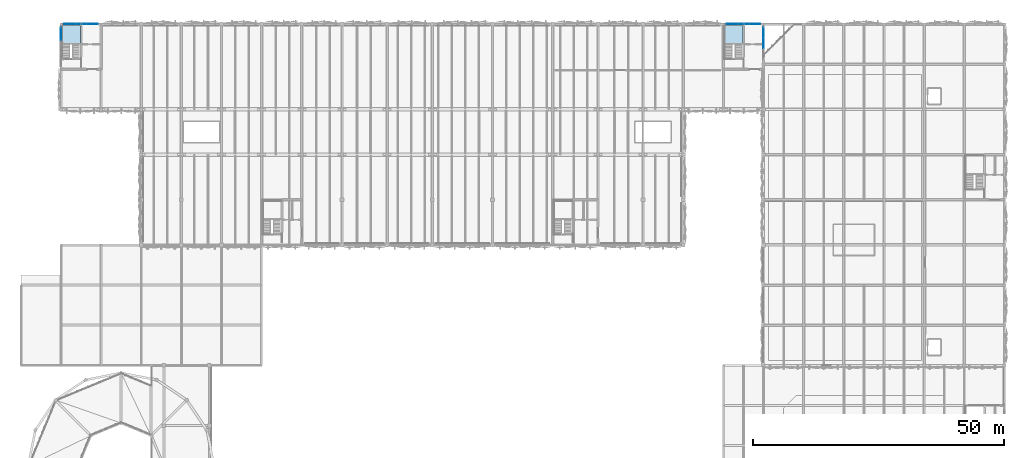
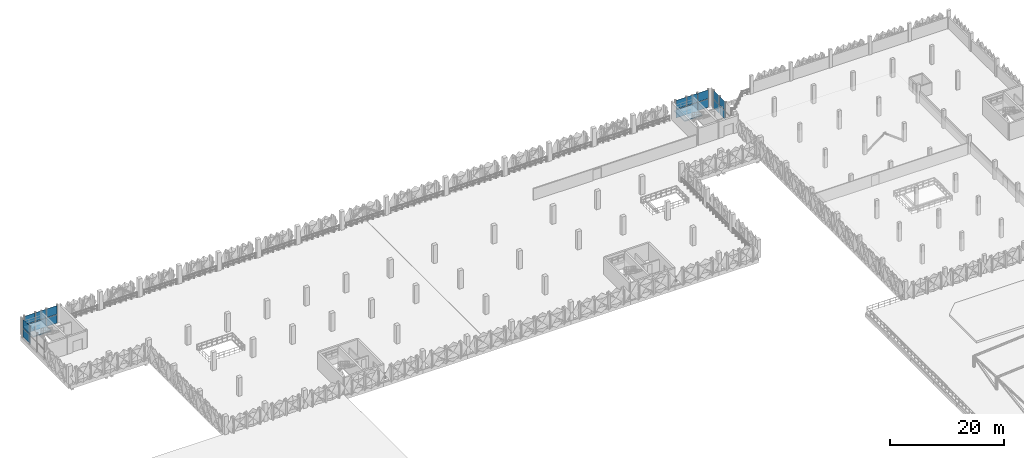
# One storey, part 33 of 76: 18 plates, 2 slabs, 6 elements without a shape of their own.
"""IFC4 building model written with IfcOpenShell, lengths in metres."""

from ifc_helpers import new_model, si_unit, derived_unit, direction, frame, origin, origin_2d, place, context, subcontext, project, spatial, polyline, rectangle, outline, extrude, material, layer, layer_set, type_object, element, aggregate, save


model = new_model("IFC4")

# Units and contexts
model_context = context("Model", 3, precision=1e-05, world=origin(), true_north=direction((0.0, 1.0)))
body_context = subcontext(model_context, "Body", "Model", "MODEL_VIEW")
ifc_project = project(units=[si_unit("LENGTHUNIT", "METRE"), si_unit("AREAUNIT", "SQUARE_METRE"), si_unit("VOLUMEUNIT", "CUBIC_METRE"), si_unit("PLANEANGLEUNIT", "RADIAN"), si_unit("MASSUNIT", "GRAM", prefix="KILO"), si_unit("THERMODYNAMICTEMPERATUREUNIT", "KELVIN"), derived_unit("THERMALTRANSMITTANCEUNIT", [(si_unit("POWERUNIT", "WATT"), 1), (si_unit("AREAUNIT", "SQUARE_METRE"), -1), (si_unit("THERMODYNAMICTEMPERATUREUNIT", "KELVIN"), -1)])], contexts=[model_context])

# Site, building, storey
site_placement = place(None, origin())
site = spatial("IfcSite", under=ifc_project, at=site_placement, CompositionType="ELEMENT")
building_placement = place(site_placement, origin())
building = spatial("IfcBuilding", under=site, at=building_placement, Name="Haiyu Intermodal Mobility Hub", CompositionType="ELEMENT")
storey_placement = place(building_placement, frame((0.0, 0.0, 17.300048828125)))
storey = spatial("IfcBuildingStorey", under=building, at=storey_placement, Name="L04", CompositionType="ELEMENT", Elevation=17.300048828125)

# Curtain wall, plates
ifc_material_1 = material(Name="Low-e laminated insulating glass", Category="glass")
ifc_layer_1 = layer(ifc_material_1, 0.199951171875)
ifc_layer_set_1 = layer_set([ifc_layer_1], Name="Low-e laminated insulating glass")
curtain_wall_type = type_object("IfcCurtainWallType", Name="CW-CW03", PredefinedType="NOTDEFINED", material=ifc_layer_set_1)
curtain_wall_1_placement = place(storey_placement, origin())
curtain_wall_1 = element("IfcCurtainWall", 1, at=curtain_wall_1_placement, inside=storey, type_object=curtain_wall_type, Name="Curtain Wall CW-C3N-L04-057", PredefinedType="NOTDEFINED")
ifc_layer_2 = layer(ifc_material_1, 0.0400390625)
ifc_layer_set_2 = layer_set([ifc_layer_2], Name="Low-e laminated insulating glass")
plate_type_1 = type_object("IfcPlateType", Name="PLT-CP03", PredefinedType="CURTAIN_PANEL", material=ifc_layer_set_2)
plate_1_placement = place(storey_placement, frame((28.22705078125, 148.0, 0.03466796875), z_axis=(0.0, 0.0, 1.0), x_axis=(-1.0, 0.0, 0.0)))
plate_1 = element("IfcPlate", 2, at=plate_1_placement, type_object=plate_type_1, Name="CW-C3N-L04-057-PN01", PredefinedType="CURTAIN_PANEL", context=body_context, shape_type="SweptSolid", body=[
    extrude(rectangle(XDim=2.136962890625, YDim=0.0400390625, at=origin_2d()), origin(), (0.0, 0.0, 1.0), 1.840087890625),
])
plate_2_placement = place(storey_placement, frame((26.0, 148.0, 0.03466796875), z_axis=(0.0, 0.0, 1.0), x_axis=(-1.0, 0.0, 0.0)))
plate_2 = element("IfcPlate", 3, at=plate_2_placement, type_object=plate_type_1, Name="CW-C3N-L04-057-PN03", PredefinedType="CURTAIN_PANEL", context=body_context, shape_type="SweptSolid", body=[
    extrude(rectangle(XDim=2.136962890625, YDim=0.0400390625, at=origin_2d()), origin(), (0.0, 0.0, 1.0), 1.840087890625),
])
plate_3_placement = place(storey_placement, frame((23.77294921875, 148.0, 0.03466796875), z_axis=(0.0, 0.0, 1.0), x_axis=(-1.0, 0.0, 0.0)))
plate_3 = element("IfcPlate", 4, at=plate_3_placement, type_object=plate_type_1, Name="CW-C3N-L04-057-PN05", PredefinedType="CURTAIN_PANEL", context=body_context, shape_type="SweptSolid", body=[
    extrude(rectangle(XDim=2.136962890625, YDim=0.0400390625, at=origin_2d()), origin(), (0.0, 0.0, 1.0), 1.840087890625),
])

# Curtain wall, plate
curtain_wall_2_placement = place(storey_placement, origin())
curtain_wall_2 = element("IfcCurtainWall", 5, at=curtain_wall_2_placement, inside=storey, type_object=curtain_wall_type, Name="Curtain Wall CW-C3S-L04-058", PredefinedType="NOTDEFINED")
plate_4_placement = place(storey_placement, frame((22.0, 146.06005859375, 0.03466796875), z_axis=(0.0, 0.0, 1.0), x_axis=(0.0, -1.0, 0.0)))
plate_4 = element("IfcPlate", 6, at=plate_4_placement, type_object=plate_type_1, Name="CW-C3S-L04-058-PN01", PredefinedType="CURTAIN_PANEL", context=body_context, shape_type="SweptSolid", body=[
    extrude(rectangle(XDim=2.469970703125, YDim=0.0400390625, at=origin_2d()), origin(), (0.0, 0.0, 1.0), 1.840087890625),
])

# Curtain wall, plates
curtain_wall_3_placement = place(storey_placement, origin())
curtain_wall_3 = element("IfcCurtainWall", 7, at=curtain_wall_3_placement, inside=storey, type_object=curtain_wall_type, Name="Curtain Wall CW-C4N-L04-071", PredefinedType="NOTDEFINED")
plate_5_placement = place(storey_placement, frame((160.22705078125, 148.0, 0.03466796875), z_axis=(0.0, 0.0, 1.0), x_axis=(-1.0, 0.0, 0.0)))
plate_5 = element("IfcPlate", 8, at=plate_5_placement, type_object=plate_type_1, Name="CW-C4N-L04-071-PN01", PredefinedType="CURTAIN_PANEL", context=body_context, shape_type="SweptSolid", body=[
    extrude(rectangle(XDim=2.136962890625, YDim=0.0400390625, at=origin_2d()), origin(), (0.0, 0.0, 1.0), 1.840087890625),
])
plate_6_placement = place(storey_placement, frame((158.0, 148.0, 0.03466796875), z_axis=(0.0, 0.0, 1.0), x_axis=(-1.0, 0.0, 0.0)))
plate_6 = element("IfcPlate", 9, at=plate_6_placement, type_object=plate_type_1, Name="CW-C4N-L04-071-PN03", PredefinedType="CURTAIN_PANEL", context=body_context, shape_type="SweptSolid", body=[
    extrude(rectangle(XDim=2.136962890625, YDim=0.0400390625, at=origin_2d()), origin(), (0.0, 0.0, 1.0), 1.840087890625),
])
plate_7_placement = place(storey_placement, frame((155.77294921875, 148.0, 0.03466796875), z_axis=(0.0, 0.0, 1.0), x_axis=(-1.0, 0.0, 0.0)))
plate_7 = element("IfcPlate", 10, at=plate_7_placement, type_object=plate_type_1, Name="CW-C4N-L04-071-PN05", PredefinedType="CURTAIN_PANEL", context=body_context, shape_type="SweptSolid", body=[
    extrude(rectangle(XDim=2.136962890625, YDim=0.0400390625, at=origin_2d()), origin(), (0.0, 0.0, 1.0), 1.840087890625),
])

curtain_wall_4_placement = place(storey_placement, origin())
curtain_wall_4 = element("IfcCurtainWall", 11, at=curtain_wall_4_placement, inside=storey, type_object=curtain_wall_type, Name="Curtain Wall CW-C4S-L04-072", PredefinedType="NOTDEFINED")
plate_8_placement = place(storey_placement, frame((162.0, 144.1650390625, 0.03466796875), z_axis=(0.0, 0.0, 1.0), x_axis=(0.0, 1.0, 0.0)))
plate_8 = element("IfcPlate", 12, at=plate_8_placement, type_object=plate_type_1, Name="CW-C4S-L04-072-PN03", PredefinedType="CURTAIN_PANEL", context=body_context, shape_type="SweptSolid", body=[
    extrude(rectangle(XDim=2.027099609375, YDim=0.0400390625, at=origin_2d()), origin(), (0.0, 0.0, 1.0), 1.840087890625),
])
plate_9_placement = place(storey_placement, frame((162.0, 146.281982421875, 0.03466796875), z_axis=(0.0, 0.0, 1.0), x_axis=(0.0, 1.0, 0.0)))
plate_9 = element("IfcPlate", 13, at=plate_9_placement, type_object=plate_type_1, Name="CW-C4S-L04-072-PN05", PredefinedType="CURTAIN_PANEL", context=body_context, shape_type="SweptSolid", body=[
    extrude(rectangle(XDim=2.027099609375, YDim=0.0400390625, at=origin_2d()), origin(), (0.0, 0.0, 1.0), 1.840087890625),
])

# Plate
ifc_layer_3 = layer(ifc_material_1, 0.0439453125)
ifc_layer_set_3 = layer_set([ifc_layer_3], Name="Low-e laminated insulating glass")
plate_type_2 = type_object("IfcPlateType", Name="PLT-CP04", PredefinedType="CURTAIN_PANEL", material=ifc_layer_set_3)
plate_10_placement = place(storey_placement, frame((28.22705078125, 148.0, 1.94482421875), z_axis=(0.0, 0.0, 1.0), x_axis=(-1.0, 0.0, 0.0)))
plate_10 = element("IfcPlate", 14, at=plate_10_placement, type_object=plate_type_2, Name="CW-C3N-L04-057-PN02", PredefinedType="CURTAIN_PANEL", context=body_context, shape_type="SweptSolid", body=[
    extrude(rectangle(XDim=2.136962890625, YDim=0.0439453125, at=origin_2d()), origin(), (0.0, 0.0, 1.0), 1.840087890625),
])

plate_11_placement = place(storey_placement, frame((26.0, 148.0, 1.94482421875), z_axis=(0.0, 0.0, 1.0), x_axis=(-1.0, 0.0, 0.0)))
plate_11 = element("IfcPlate", 15, at=plate_11_placement, type_object=plate_type_2, Name="CW-C3N-L04-057-PN04", PredefinedType="CURTAIN_PANEL", context=body_context, shape_type="SweptSolid", body=[
    extrude(rectangle(XDim=2.136962890625, YDim=0.0439453125, at=origin_2d()), origin(), (0.0, 0.0, 1.0), 1.840087890625),
])

plate_12_placement = place(storey_placement, frame((23.77294921875, 148.0, 1.94482421875), z_axis=(0.0, 0.0, 1.0), x_axis=(-1.0, 0.0, 0.0)))
plate_12 = element("IfcPlate", 16, at=plate_12_placement, type_object=plate_type_2, Name="CW-C3N-L04-057-PN06", PredefinedType="CURTAIN_PANEL", context=body_context, shape_type="SweptSolid", body=[
    extrude(rectangle(XDim=2.136962890625, YDim=0.0439453125, at=origin_2d()), origin(), (0.0, 0.0, 1.0), 1.840087890625),
])

aggregate(curtain_wall_1, [plate_1, plate_10, plate_2, plate_11, plate_3, plate_12])

plate_13_placement = place(storey_placement, frame((22.0, 146.06005859375, 1.94482421875), z_axis=(0.0, 0.0, 1.0), x_axis=(0.0, -1.0, 0.0)))
plate_13 = element("IfcPlate", 17, at=plate_13_placement, type_object=plate_type_2, Name="CW-C3S-L04-058-PN02", PredefinedType="CURTAIN_PANEL", context=body_context, shape_type="SweptSolid", body=[
    extrude(rectangle(XDim=2.469970703125, YDim=0.0439453125, at=origin_2d()), origin(), (0.0, 0.0, 1.0), 1.840087890625),
])

aggregate(curtain_wall_2, [plate_4, plate_13])

plate_14_placement = place(storey_placement, frame((160.22705078125, 148.0, 1.94482421875), z_axis=(0.0, 0.0, 1.0), x_axis=(-1.0, 0.0, 0.0)))
plate_14 = element("IfcPlate", 18, at=plate_14_placement, type_object=plate_type_2, Name="CW-C4N-L04-071-PN02", PredefinedType="CURTAIN_PANEL", context=body_context, shape_type="SweptSolid", body=[
    extrude(rectangle(XDim=2.136962890625, YDim=0.0439453125, at=origin_2d()), origin(), (0.0, 0.0, 1.0), 1.840087890625),
])

plate_15_placement = place(storey_placement, frame((158.0, 148.0, 1.94482421875), z_axis=(0.0, 0.0, 1.0), x_axis=(-1.0, 0.0, 0.0)))
plate_15 = element("IfcPlate", 19, at=plate_15_placement, type_object=plate_type_2, Name="CW-C4N-L04-071-PN04", PredefinedType="CURTAIN_PANEL", context=body_context, shape_type="SweptSolid", body=[
    extrude(rectangle(XDim=2.136962890625, YDim=0.0439453125, at=origin_2d()), origin(), (0.0, 0.0, 1.0), 1.840087890625),
])

plate_16_placement = place(storey_placement, frame((155.77294921875, 148.0, 1.94482421875), z_axis=(0.0, 0.0, 1.0), x_axis=(-1.0, 0.0, 0.0)))
plate_16 = element("IfcPlate", 20, at=plate_16_placement, type_object=plate_type_2, Name="CW-C4N-L04-071-PN06", PredefinedType="CURTAIN_PANEL", context=body_context, shape_type="SweptSolid", body=[
    extrude(rectangle(XDim=2.136962890625, YDim=0.0439453125, at=origin_2d()), origin(), (0.0, 0.0, 1.0), 1.840087890625),
])

aggregate(curtain_wall_3, [plate_5, plate_14, plate_6, plate_15, plate_7, plate_16])

plate_17_placement = place(storey_placement, frame((162.0, 144.1650390625, 1.94482421875), z_axis=(0.0, 0.0, 1.0), x_axis=(0.0, 1.0, 0.0)))
plate_17 = element("IfcPlate", 21, at=plate_17_placement, type_object=plate_type_2, Name="CW-C4S-L04-072-PN04", PredefinedType="CURTAIN_PANEL", context=body_context, shape_type="SweptSolid", body=[
    extrude(rectangle(XDim=2.027099609375, YDim=0.0439453125, at=origin_2d()), origin(), (0.0, 0.0, 1.0), 1.840087890625),
])

plate_18_placement = place(storey_placement, frame((162.0, 146.281982421875, 1.94482421875), z_axis=(0.0, 0.0, 1.0), x_axis=(0.0, 1.0, 0.0)))
plate_18 = element("IfcPlate", 22, at=plate_18_placement, type_object=plate_type_2, Name="CW-C4S-L04-072-PN06", PredefinedType="CURTAIN_PANEL", context=body_context, shape_type="SweptSolid", body=[
    extrude(rectangle(XDim=2.027099609375, YDim=0.0439453125, at=origin_2d()), origin(), (0.0, 0.0, 1.0), 1.840087890625),
])

aggregate(curtain_wall_4, [plate_8, plate_17, plate_9, plate_18])

# Stair, slab
ifc_material_2 = material(Name="Concrete C40", Category="concrete")
stair_type = type_object("IfcStairType", Name="STR-ST03", PredefinedType="HALF_TURN_STAIR", material=ifc_material_2)
stair_1_placement = place(storey_placement, origin())
stair_1 = element("IfcStair", 23, at=stair_1_placement, inside=storey, type_object=stair_type, Name="Exit Stair ST02 L04", PredefinedType="HALF_TURN_STAIR")
ifc_layer_4 = layer(ifc_material_2, 0.2099609375)
ifc_layer_set_4 = layer_set([ifc_layer_4], Name="Concrete C40")
slab_type = type_object("IfcSlabType", Name="SLB-SL13", PredefinedType="LANDING", material=ifc_layer_set_4)
slab_1_placement = place(storey_placement, frame((0.0, 0.0, 1.739990234375)))
slab_1 = element("IfcSlab", 24, at=slab_1_placement, type_object=slab_type, Name="Stair Half-Landing STR-C3-L04-LND", PredefinedType="LANDING", context=body_context, shape_type="SweptSolid", body=[
    extrude(outline(polyline([(22.219970703125, 144.1298828125), (25.8701171875, 144.1298828125), (25.8701171875, 147.780029296875), (22.219970703125, 147.780029296875), (22.219970703125, 144.1298828125)])), origin(), (0.0, 0.0, 1.0), 0.2099609375),
])
aggregate(stair_1, [slab_1])

stair_2_placement = place(storey_placement, origin())
stair_2 = element("IfcStair", 25, at=stair_2_placement, inside=storey, type_object=stair_type, Name="Exit Stair ST02 L04", PredefinedType="HALF_TURN_STAIR")
slab_2_placement = place(storey_placement, frame((0.0, 0.0, 1.739990234375)))
slab_2 = element("IfcSlab", 26, at=slab_2_placement, type_object=slab_type, Name="Stair Half-Landing STR-C4-L04-LND", PredefinedType="LANDING", context=body_context, shape_type="SweptSolid", body=[
    extrude(outline(polyline([(154.219970703125, 144.1298828125), (157.8701171875, 144.1298828125), (157.8701171875, 147.780029296875), (154.219970703125, 147.780029296875), (154.219970703125, 144.1298828125)])), origin(), (0.0, 0.0, 1.0), 0.2099609375),
])
aggregate(stair_2, [slab_2])

save(model, "model.ifc")
